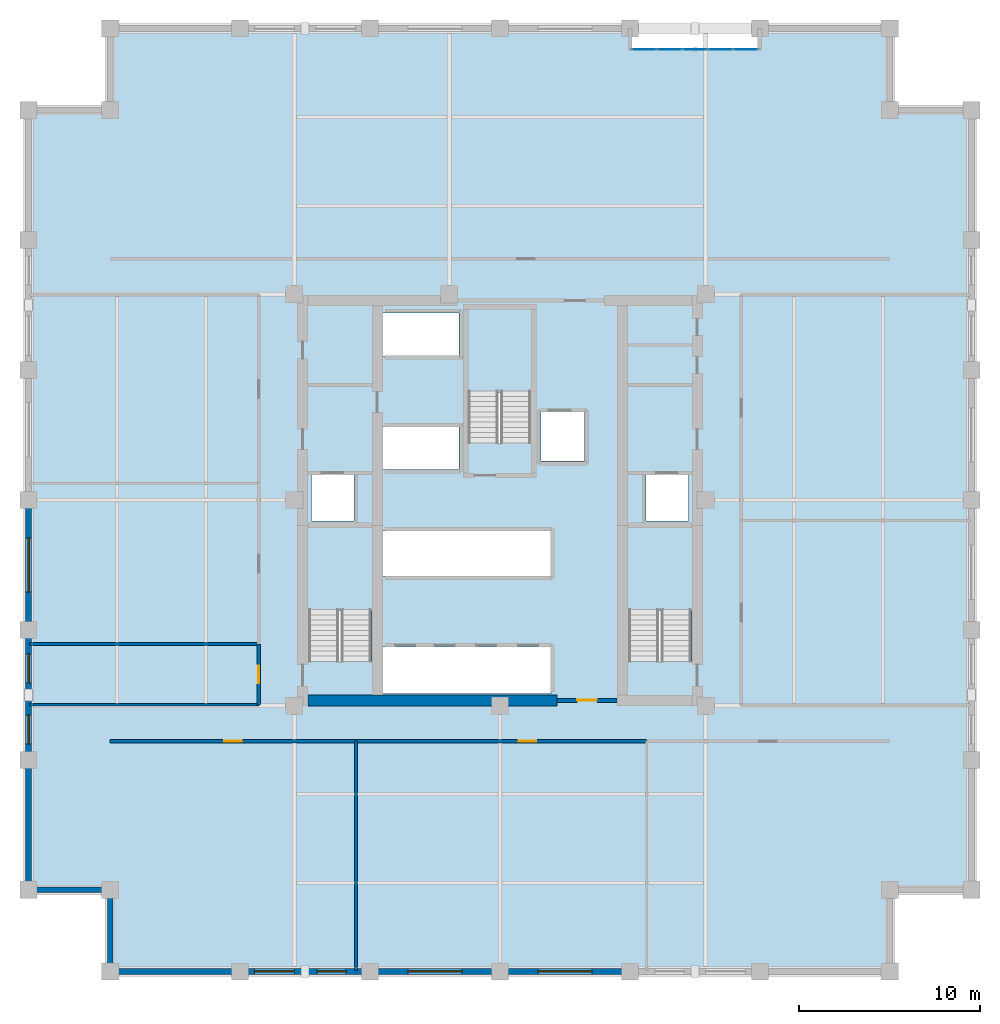
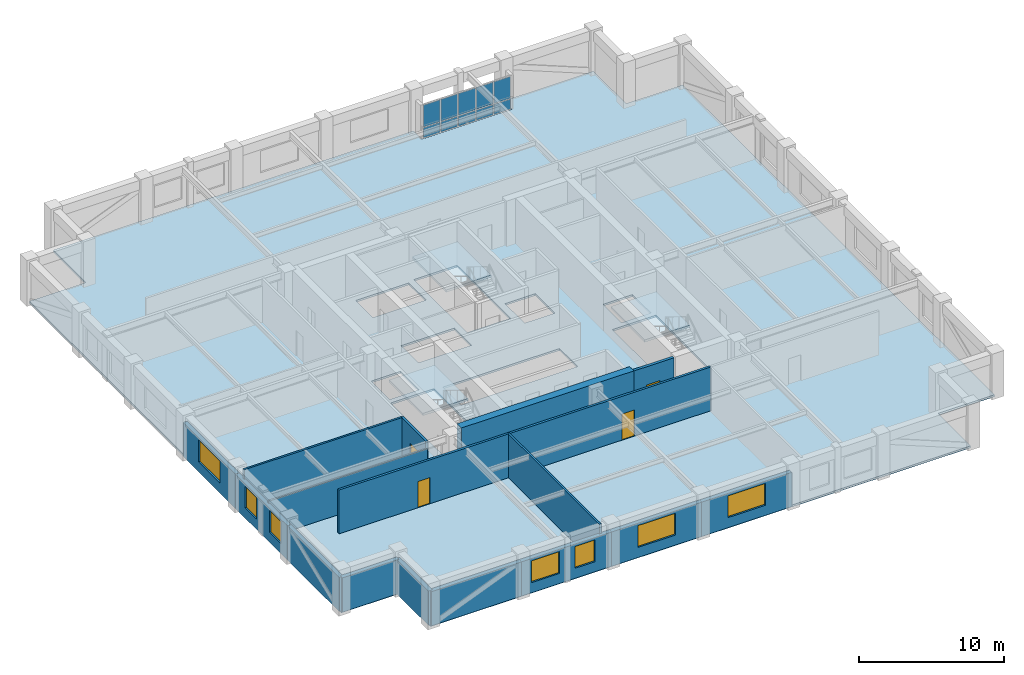
# One storey, part 3 of 8: 17 walls, 10 plates, 7 windows, 4 doors, 4 slabs, 11 openings, 4 elements without a shape of their own.
"""IFC4 building model written with IfcOpenShell, lengths in metres."""

from ifc_helpers import new_model, si_unit, direction, frame, frame_2d, origin, origin_2d, place, context, subcontext, project, spatial, polyline, rectangle, outline, extrude, material, layer, layer_set, type_object, element, fill, aggregate, save


model = new_model("IFC4")

# Units and contexts
model_context = context("Model", 3, precision=1e-05, world=origin(), true_north=direction((0.0, 1.0)))
body_context = subcontext(model_context, "Body", "Model", "MODEL_VIEW")
ifc_project = project(units=[si_unit("LENGTHUNIT", "METRE"), si_unit("AREAUNIT", "SQUARE_METRE"), si_unit("VOLUMEUNIT", "CUBIC_METRE"), si_unit("PLANEANGLEUNIT", "RADIAN"), si_unit("MASSUNIT", "GRAM", prefix="KILO")], contexts=[model_context])

# Site, building, storey
site_placement = place(None, origin())
site = spatial("IfcSite", under=ifc_project, at=site_placement, CompositionType="ELEMENT")
building_placement = place(site_placement, origin())
building = spatial("IfcBuilding", under=site, at=building_placement, Name="Nhamokura Convention Tower", CompositionType="ELEMENT")
storey_placement = place(building_placement, frame((0.0, 0.0, 137.550048828125)))
storey = spatial("IfcBuildingStorey", under=building, at=storey_placement, Name="L33", CompositionType="ELEMENT", Elevation=137.550048828125)

# Curtain wall, plates
ifc_material_1 = material(Name="Anodised bronze aluminium AA6063-T6", Category="aluminium")
ifc_layer_1 = layer(ifc_material_1, 0.159912109375)
ifc_layer_set_1 = layer_set([ifc_layer_1], Name="CWSystem_ScaleSlot_Zone2")
curtain_wall_type = type_object("IfcCurtainWallType", Name="CWSystem_ScaleSlot_Zone2", PredefinedType="NOTDEFINED", material=ifc_layer_set_1)
curtain_wall_placement = place(storey_placement, origin())
curtain_wall = element("IfcCurtainWall", 1, at=curtain_wall_placement, inside=storey, type_object=curtain_wall_type, Name="L33 Curtain Wall ENV-L33-SLOT-N4", PredefinedType="NOTDEFINED")
ifc_material_2 = material(Name="Solar-control bronze low-E double glass", Category="glass")
ifc_layer_2 = layer(ifc_material_2, 0.035888671875)
ifc_layer_set_2 = layer_set([ifc_layer_2], Name="CWGlazedPanel_2")
plate_type = type_object("IfcPlateType", Name="CWGlazedPanel_2", PredefinedType="CURTAIN_PANEL", material=ifc_layer_set_2)
plate_1_placement = place(storey_placement, frame((39.947509765625, 56.85009765625, 0.06494140625), z_axis=(0.0, 0.0, 1.0), x_axis=(1.0, 0.0, 0.0)))
plate_1 = element("IfcPlate", 2, at=plate_1_placement, type_object=plate_type, Name="CW-04 panel 1.1", PredefinedType="CURTAIN_PANEL", context=body_context, shape_type="SweptSolid", body=[
    extrude(rectangle(XDim=1.311767578125, YDim=0.035888671875, at=origin_2d()), origin(), (0.0, 0.0, 1.0), 0.8525390625),
])
plate_2_placement = place(storey_placement, frame((39.947509765625, 56.85009765625, 0.982421875), z_axis=(0.0, 0.0, 1.0), x_axis=(1.0, 0.0, 0.0)))
plate_2 = element("IfcPlate", 3, at=plate_2_placement, type_object=plate_type, Name="CW-04 panel 1.2", PredefinedType="CURTAIN_PANEL", context=body_context, shape_type="SweptSolid", body=[
    extrude(rectangle(XDim=1.311767578125, YDim=0.035888671875, at=origin_2d()), origin(), (0.0, 0.0, 1.0), 1.83740234375),
])
plate_3_placement = place(storey_placement, frame((41.340576171875, 56.85009765625, 0.06494140625), z_axis=(0.0, 0.0, 1.0), x_axis=(1.0, 0.0, 0.0)))
plate_3 = element("IfcPlate", 4, at=plate_3_placement, type_object=plate_type, Name="CW-04 panel 2.1", PredefinedType="CURTAIN_PANEL", context=body_context, shape_type="SweptSolid", body=[
    extrude(rectangle(XDim=1.34423828125, YDim=0.035888671875, at=origin_2d()), origin(), (0.0, 0.0, 1.0), 0.8525390625),
])
plate_4_placement = place(storey_placement, frame((41.340576171875, 56.85009765625, 0.982421875), z_axis=(0.0, 0.0, 1.0), x_axis=(1.0, 0.0, 0.0)))
plate_4 = element("IfcPlate", 5, at=plate_4_placement, type_object=plate_type, Name="CW-04 panel 2.2", PredefinedType="CURTAIN_PANEL", context=body_context, shape_type="SweptSolid", body=[
    extrude(rectangle(XDim=1.34423828125, YDim=0.035888671875, at=origin_2d()), origin(), (0.0, 0.0, 1.0), 1.83740234375),
])
plate_5_placement = place(storey_placement, frame((42.75, 56.85009765625, 0.06494140625), z_axis=(0.0, 0.0, 1.0), x_axis=(1.0, 0.0, 0.0)))
plate_5 = element("IfcPlate", 6, at=plate_5_placement, type_object=plate_type, Name="CW-04 panel 3.1", PredefinedType="CURTAIN_PANEL", context=body_context, shape_type="SweptSolid", body=[
    extrude(rectangle(XDim=1.34423828125, YDim=0.035888671875, at=origin_2d()), origin(), (0.0, 0.0, 1.0), 0.8525390625),
])
plate_6_placement = place(storey_placement, frame((42.75, 56.85009765625, 0.982421875), z_axis=(0.0, 0.0, 1.0), x_axis=(1.0, 0.0, 0.0)))
plate_6 = element("IfcPlate", 7, at=plate_6_placement, type_object=plate_type, Name="CW-04 panel 3.2", PredefinedType="CURTAIN_PANEL", context=body_context, shape_type="SweptSolid", body=[
    extrude(rectangle(XDim=1.34423828125, YDim=0.035888671875, at=origin_2d()), origin(), (0.0, 0.0, 1.0), 1.83740234375),
])
plate_7_placement = place(storey_placement, frame((44.159423828125, 56.85009765625, 0.06494140625), z_axis=(0.0, 0.0, 1.0), x_axis=(1.0, 0.0, 0.0)))
plate_7 = element("IfcPlate", 8, at=plate_7_placement, type_object=plate_type, Name="CW-04 panel 4.1", PredefinedType="CURTAIN_PANEL", context=body_context, shape_type="SweptSolid", body=[
    extrude(rectangle(XDim=1.34423828125, YDim=0.035888671875, at=origin_2d()), origin(), (0.0, 0.0, 1.0), 0.8525390625),
])
plate_8_placement = place(storey_placement, frame((44.159423828125, 56.85009765625, 0.982421875), z_axis=(0.0, 0.0, 1.0), x_axis=(1.0, 0.0, 0.0)))
plate_8 = element("IfcPlate", 9, at=plate_8_placement, type_object=plate_type, Name="CW-04 panel 4.2", PredefinedType="CURTAIN_PANEL", context=body_context, shape_type="SweptSolid", body=[
    extrude(rectangle(XDim=1.34423828125, YDim=0.035888671875, at=origin_2d()), origin(), (0.0, 0.0, 1.0), 1.83740234375),
])
plate_9_placement = place(storey_placement, frame((45.552490234375, 56.85009765625, 0.06494140625), z_axis=(0.0, 0.0, 1.0), x_axis=(1.0, 0.0, 0.0)))
plate_9 = element("IfcPlate", 10, at=plate_9_placement, type_object=plate_type, Name="CW-04 panel 5.1", PredefinedType="CURTAIN_PANEL", context=body_context, shape_type="SweptSolid", body=[
    extrude(rectangle(XDim=1.311767578125, YDim=0.035888671875, at=origin_2d()), origin(), (0.0, 0.0, 1.0), 0.8525390625),
])
plate_10_placement = place(storey_placement, frame((45.552490234375, 56.85009765625, 0.982421875), z_axis=(0.0, 0.0, 1.0), x_axis=(1.0, 0.0, 0.0)))
plate_10 = element("IfcPlate", 11, at=plate_10_placement, type_object=plate_type, Name="CW-04 panel 5.2", PredefinedType="CURTAIN_PANEL", context=body_context, shape_type="SweptSolid", body=[
    extrude(rectangle(XDim=1.311767578125, YDim=0.035888671875, at=origin_2d()), origin(), (0.0, 0.0, 1.0), 1.83740234375),
])
aggregate(curtain_wall, [plate_1, plate_2, plate_3, plate_4, plate_5, plate_6, plate_7, plate_8, plate_9, plate_10])

# Slab
ifc_material_3 = material(Name="Concrete C40/50", Category="concrete")
ifc_layer_3 = layer(ifc_material_3, 0.1650390625)
ifc_layer_set_3 = layer_set([ifc_layer_3], Name="OfficeFloorSlab_165")
slab_type_1 = type_object("IfcSlabType", Name="OfficeFloorSlab_165", PredefinedType="FLOOR", material=ifc_layer_set_3)
slab_1_placement = place(storey_placement, frame((0.0, 0.0, -0.1650390625)))
element("IfcSlab", 12, at=slab_1_placement, inside=storey, type_object=slab_type_1, Name="L33 Structural Floor Slab", PredefinedType="FLOOR", context=body_context, shape_type="SweptSolid", body=[
    extrude(outline(polyline([(10.5, 6.0), (53.5, 6.0), (53.5, 10.5), (58.0, 10.5), (58.0, 53.5), (53.5, 53.5), (53.5, 58.0), (46.333251953125, 58.0), (46.333251953125, 56.85009765625), (39.166748046875, 56.85009765625), (39.166748046875, 58.0), (10.5, 58.0), (10.5, 53.5), (6.0, 53.5), (6.0, 10.5), (10.5, 10.5), (10.5, 6.0)]), holes=[polyline([(24.89990234375, 23.10009765625), (24.89990234375, 30.449951171875), (21.449951171875, 30.449951171875), (21.449951171875, 23.10009765625), (24.89990234375, 23.10009765625)]), polyline([(42.550048828125, 23.10009765625), (42.550048828125, 30.449951171875), (39.10009765625, 30.449951171875), (39.10009765625, 23.10009765625), (42.550048828125, 23.10009765625)]), polyline([(33.699951171875, 35.14990234375), (33.699951171875, 42.5), (30.25, 42.5), (30.25, 35.14990234375), (33.699951171875, 35.14990234375)]), polyline([(21.60009765625, 30.85009765625), (23.949951171875, 30.85009765625), (23.949951171875, 33.39990234375), (21.60009765625, 33.39990234375), (21.60009765625, 30.85009765625)]), polyline([(40.050048828125, 30.85009765625), (42.39990234375, 30.85009765625), (42.39990234375, 33.39990234375), (40.050048828125, 33.39990234375), (40.050048828125, 30.85009765625)]), polyline([(34.25, 34.14990234375), (36.64990234375, 34.14990234375), (36.64990234375, 36.85009765625), (34.25, 36.85009765625), (34.25, 34.14990234375)]), polyline([(25.52001953125, 21.320068359375), (34.800048828125, 21.320068359375), (34.800048828125, 23.89990234375), (25.52001953125, 23.89990234375), (25.52001953125, 21.320068359375)]), polyline([(25.52001953125, 27.800048828125), (34.800048828125, 27.800048828125), (34.800048828125, 30.300048828125), (25.52001953125, 30.300048828125), (25.52001953125, 27.800048828125)]), polyline([(25.52001953125, 33.679931640625), (29.75, 33.679931640625), (29.75, 36.050048828125), (25.52001953125, 36.050048828125), (25.52001953125, 33.679931640625)]), polyline([(25.52001953125, 39.949951171875), (29.75, 39.949951171875), (29.75, 42.320068359375), (25.52001953125, 42.320068359375), (25.52001953125, 39.949951171875)])]), origin(), (0.0, 0.0, 1.0), 0.1650390625),
])

# Stair, slab
ifc_material_4 = material(Name="Concrete C40/50", Category="concrete")
stair_type = type_object("IfcStairType", Name="TowerCoreStair_1650", PredefinedType="HALF_TURN_STAIR", material=ifc_material_4)
stair_1_placement = place(storey_placement, origin())
stair_1 = element("IfcStair", 13, at=stair_1_placement, inside=storey, type_object=stair_type, Name="L33 West Core Smokeproof Stair ST-01", PredefinedType="HALF_TURN_STAIR")
ifc_material_5 = material(Name="Concrete C40/50", Category="concrete")
ifc_layer_4 = layer(ifc_material_5, 0.199951171875)
ifc_layer_set_4 = layer_set([ifc_layer_4], Name="StairLandingSlab_200")
slab_type_2 = type_object("IfcSlabType", Name="StairLandingSlab_200", PredefinedType="LANDING", material=ifc_layer_set_4)
slab_2_placement = place(storey_placement, frame((0.0, 0.0, 1.724853515625)))
slab_2 = element("IfcSlab", 14, at=slab_2_placement, type_object=slab_type_2, Name="ST-01 landing 1", PredefinedType="LANDING", context=body_context, shape_type="SweptSolid", body=[
    extrude(outline(polyline([(24.97998046875, 25.8701171875), (24.97998046875, 30.530029296875), (21.3701171875, 30.530029296875), (21.3701171875, 25.8701171875), (24.97998046875, 25.8701171875)])), origin(), (0.0, 0.0, 1.0), 0.2001953125),
])
aggregate(stair_1, [slab_2])

stair_2_placement = place(storey_placement, origin())
stair_2 = element("IfcStair", 15, at=stair_2_placement, inside=storey, type_object=stair_type, Name="L33 East Core Smokeproof Stair ST-02", PredefinedType="HALF_TURN_STAIR")
slab_3_placement = place(storey_placement, frame((0.0, 0.0, 1.724853515625)))
slab_3 = element("IfcSlab", 16, at=slab_3_placement, type_object=slab_type_2, Name="ST-02 landing 1", PredefinedType="LANDING", context=body_context, shape_type="SweptSolid", body=[
    extrude(outline(polyline([(42.6298828125, 25.8701171875), (42.6298828125, 30.530029296875), (39.02001953125, 30.530029296875), (39.02001953125, 25.8701171875), (42.6298828125, 25.8701171875)])), origin(), (0.0, 0.0, 1.0), 0.2001953125),
])
aggregate(stair_2, [slab_3])

stair_3_placement = place(storey_placement, origin())
stair_3 = element("IfcStair", 17, at=stair_3_placement, inside=storey, type_object=stair_type, Name="L33 North Core Smokeproof Stair ST-03", PredefinedType="HALF_TURN_STAIR")
slab_4_placement = place(storey_placement, frame((0.0, 0.0, 1.724853515625)))
slab_4 = element("IfcSlab", 18, at=slab_4_placement, type_object=slab_type_2, Name="ST-03 landing 1", PredefinedType="LANDING", context=body_context, shape_type="SweptSolid", body=[
    extrude(outline(polyline([(33.780029296875, 37.919921875), (33.780029296875, 42.580078125), (30.169921875, 42.580078125), (30.169921875, 37.919921875), (33.780029296875, 37.919921875)])), origin(), (0.0, 0.0, 1.0), 0.2001953125),
])
aggregate(stair_3, [slab_4])

# Wall
ifc_material_6 = material(Name="Bronze-pigmented precast concrete C45/55", Category="concrete")
ifc_layer_5 = layer(ifc_material_6, 0.320068359375)
ifc_layer_set_5 = layer_set([ifc_layer_5], Name="BronzePrecastSpandrel_320")
wall_type_1 = type_object("IfcWallType", Name="BronzePrecastSpandrel_320", PredefinedType="USERDEFINED", material=ifc_layer_set_5)
wall_1_placement = place(storey_placement, frame((17.666748046875, 6.0, 0.0), z_axis=(0.0, 0.0, 1.0), x_axis=(-1.0, 0.0, 0.0)))
element("IfcWall", 19, at=wall_1_placement, inside=storey, type_object=wall_type_1, Name="L33 Braced-Bay Precast Wall SOUTH 0", ObjectType="SPANDREL_WALL", PredefinedType="USERDEFINED", context=body_context, shape_type="SweptSolid", body=[
    extrude(rectangle(XDim=7.166748046875, YDim=0.320068359375, at=frame_2d((3.58349609375, 0.0))), origin(), (0.0, 0.0, 1.0), 2.885009765625),
])

# Wall, openings, windows
wall_2_placement = place(storey_placement, frame((24.833251953125, 6.0, 0.0), z_axis=(0.0, 0.0, 1.0), x_axis=(-1.0, 0.0, 0.0)))
wall_2 = element("IfcWall", 20, at=wall_2_placement, inside=storey, type_object=wall_type_1, Name="L33 Masonry-Frame Wall SOUTH 1", ObjectType="SPANDREL_WALL", PredefinedType="USERDEFINED", context=body_context, shape_type="SweptSolid", body=[
    extrude(rectangle(XDim=7.16650390625, YDim=0.320068359375, at=frame_2d((3.583251953125, 0.0))), origin(), (0.0, 0.0, 1.0), 2.885009765625),
])
opening_1_placement = place(wall_2_placement, frame((1.316650390625, 0.0, 0.85009765625)))
opening_1 = element("IfcOpeningElement", 21, at=opening_1_placement, cuts=wall_2, Name="Opening W-11", PredefinedType="OPENING", context=body_context, shape_type="SweptSolid", body=[
    extrude(rectangle(XDim=1.60009765625, YDim=1.8349609375, at=frame_2d((0.800048828125, 0.91748046875))), frame((0.0, 0.169921875, 0.0), z_axis=(0.0, -1.0, 0.0), x_axis=(1.0, 0.0, 0.0)), (0.0, 0.0, 1.0), 0.340087890625),
])
opening_2_placement = place(wall_2_placement, frame((4.175048828125, 0.0, 0.85009765625)))
opening_2 = element("IfcOpeningElement", 22, at=opening_2_placement, cuts=wall_2, Name="Opening W-06", PredefinedType="OPENING", context=body_context, shape_type="SweptSolid", body=[
    extrude(rectangle(XDim=2.199951171875, YDim=1.8349609375, at=frame_2d((1.10009765625, 0.91748046875))), frame((0.0, 0.169921875, 0.0), z_axis=(0.0, -1.0, 0.0), x_axis=(1.0, 0.0, 0.0)), (0.0, 0.0, 1.0), 0.340087890625),
])
ifc_material_7 = material(Name="Solar-control bronze low-E double glass", Category="glass")
window_type_1 = type_object("IfcWindowType", Name="NotchCornerWindow_1600", PartitioningType="SINGLE_PANEL", PredefinedType="WINDOW", material=ifc_material_7)
window_1_placement = place(opening_1_placement, origin())
window_1 = element("IfcWindow", 23, at=window_1_placement, inside=storey, type_object=window_type_1, Name="L33 Facade Window SOUTH 1-1", OverallHeight=1.8349609375, OverallWidth=1.60009765625, PartitioningType="SINGLE_PANEL", PredefinedType="WINDOW", context=body_context, shape_type="SweptSolid", body=[
    extrude(rectangle(XDim=1.60009765625, YDim=1.8349609375, at=frame_2d((0.800048828125, 0.91748046875))), frame((0.0, 0.030029296875, 0.0), z_axis=(0.0, -1.0, 0.0), x_axis=(1.0, 0.0, 0.0)), (0.0, 0.0, 1.0), 0.06005859375),
])
fill(opening_1, window_1)
ifc_material_8 = material(Name="Solar-control bronze low-E double glass", Category="glass")
window_type_2 = type_object("IfcWindowType", Name="OfficeModuleWindow_Z2_2200", PartitioningType="SINGLE_PANEL", PredefinedType="WINDOW", material=ifc_material_8)
window_2_placement = place(opening_2_placement, origin())
window_2 = element("IfcWindow", 24, at=window_2_placement, inside=storey, type_object=window_type_2, Name="L33 Facade Window SOUTH 1-2", OverallHeight=1.8349609375, OverallWidth=2.199951171875, PartitioningType="SINGLE_PANEL", PredefinedType="WINDOW", context=body_context, shape_type="SweptSolid", body=[
    extrude(rectangle(XDim=2.199951171875, YDim=1.8349609375, at=frame_2d((1.10009765625, 0.91748046875))), frame((0.0, 0.030029296875, 0.0), z_axis=(0.0, -1.0, 0.0), x_axis=(1.0, 0.0, 0.0)), (0.0, 0.0, 1.0), 0.06005859375),
])
fill(opening_2, window_2)

# Wall, opening, window
wall_3_placement = place(storey_placement, frame((32.0, 6.0, 0.0), z_axis=(0.0, 0.0, 1.0), x_axis=(-1.0, 0.0, 0.0)))
wall_3 = element("IfcWall", 25, at=wall_3_placement, inside=storey, type_object=wall_type_1, Name="L33 Masonry-Frame Wall SOUTH 2", ObjectType="SPANDREL_WALL", PredefinedType="USERDEFINED", context=body_context, shape_type="SweptSolid", body=[
    extrude(rectangle(XDim=7.166748046875, YDim=0.320068359375, at=frame_2d((3.58349609375, 0.0))), origin(), (0.0, 0.0, 1.0), 2.885009765625),
])
opening_3_placement = place(wall_3_placement, frame((2.083251953125, 0.0, 0.85009765625)))
opening_3 = element("IfcOpeningElement", 26, at=opening_3_placement, cuts=wall_3, Name="Opening W-05", PredefinedType="OPENING", context=body_context, shape_type="SweptSolid", body=[
    extrude(rectangle(XDim=3.0, YDim=1.8349609375, at=frame_2d((1.5, 0.91748046875))), frame((0.0, 0.169921875, 0.0), z_axis=(0.0, -1.0, 0.0), x_axis=(1.0, 0.0, 0.0)), (0.0, 0.0, 1.0), 0.340087890625),
])
ifc_material_9 = material(Name="Solar-control bronze low-E double glass", Category="glass")
window_type_3 = type_object("IfcWindowType", Name="OfficeModuleWindow_Z2_3000", PartitioningType="DOUBLE_PANEL_VERTICAL", PredefinedType="WINDOW", material=ifc_material_9)
window_3_placement = place(opening_3_placement, origin())
window_3 = element("IfcWindow", 27, at=window_3_placement, inside=storey, type_object=window_type_3, Name="L33 Facade Window SOUTH 2", OverallHeight=1.8349609375, OverallWidth=3.0, PartitioningType="SINGLE_PANEL", PredefinedType="WINDOW", context=body_context, shape_type="SweptSolid", body=[
    extrude(rectangle(XDim=3.0, YDim=1.8349609375, at=frame_2d((1.5, 0.91748046875))), frame((0.0, 0.030029296875, 0.0), z_axis=(0.0, -1.0, 0.0), x_axis=(1.0, 0.0, 0.0)), (0.0, 0.0, 1.0), 0.06005859375),
])
fill(opening_3, window_3)

wall_4_placement = place(storey_placement, frame((39.166748046875, 6.0, 0.0), z_axis=(0.0, 0.0, 1.0), x_axis=(-1.0, 0.0, 0.0)))
wall_4 = element("IfcWall", 28, at=wall_4_placement, inside=storey, type_object=wall_type_1, Name="L33 Masonry-Frame Wall SOUTH 3", ObjectType="SPANDREL_WALL", PredefinedType="USERDEFINED", context=body_context, shape_type="SweptSolid", body=[
    extrude(rectangle(XDim=7.166748046875, YDim=0.320068359375, at=frame_2d((3.58349609375, 0.0))), origin(), (0.0, 0.0, 1.0), 2.885009765625),
])
opening_4_placement = place(wall_4_placement, frame((2.083251953125, 0.0, 0.85009765625)))
opening_4 = element("IfcOpeningElement", 29, at=opening_4_placement, cuts=wall_4, Name="Opening W-05", PredefinedType="OPENING", context=body_context, shape_type="SweptSolid", body=[
    extrude(rectangle(XDim=3.0, YDim=1.8349609375, at=frame_2d((1.5, 0.91748046875))), frame((0.0, 0.169921875, 0.0), z_axis=(0.0, -1.0, 0.0), x_axis=(1.0, 0.0, 0.0)), (0.0, 0.0, 1.0), 0.340087890625),
])
window_4_placement = place(opening_4_placement, origin())
window_4 = element("IfcWindow", 30, at=window_4_placement, inside=storey, type_object=window_type_3, Name="L33 Facade Window SOUTH 3", OverallHeight=1.8349609375, OverallWidth=3.0, PartitioningType="SINGLE_PANEL", PredefinedType="WINDOW", context=body_context, shape_type="SweptSolid", body=[
    extrude(rectangle(XDim=3.0, YDim=1.8349609375, at=frame_2d((1.5, 0.91748046875))), frame((0.0, 0.030029296875, 0.0), z_axis=(0.0, -1.0, 0.0), x_axis=(1.0, 0.0, 0.0)), (0.0, 0.0, 1.0), 0.06005859375),
])
fill(opening_4, window_4)

# Wall
wall_5_placement = place(storey_placement, frame((6.0, 10.5, 0.0), z_axis=(0.0, 0.0, 1.0), x_axis=(0.0, 1.0, 0.0)))
element("IfcWall", 31, at=wall_5_placement, inside=storey, type_object=wall_type_1, Name="L33 Braced-Bay Precast Wall WEST 0", ObjectType="SPANDREL_WALL", PredefinedType="USERDEFINED", context=body_context, shape_type="SweptSolid", body=[
    extrude(rectangle(XDim=7.166748046875, YDim=0.320068359375, at=frame_2d((3.58349609375, 0.0))), origin(), (0.0, 0.0, 1.0), 2.885009765625),
])

# Wall, openings, windows
wall_6_placement = place(storey_placement, frame((6.0, 17.666748046875, 0.0), z_axis=(0.0, 0.0, 1.0), x_axis=(0.0, 1.0, 0.0)))
wall_6 = element("IfcWall", 32, at=wall_6_placement, inside=storey, type_object=wall_type_1, Name="L33 Masonry-Frame Wall WEST 1", ObjectType="SPANDREL_WALL", PredefinedType="USERDEFINED", context=body_context, shape_type="SweptSolid", body=[
    extrude(rectangle(XDim=7.16650390625, YDim=0.320068359375, at=frame_2d((3.583251953125, 0.0))), origin(), (0.0, 0.0, 1.0), 2.885009765625),
])
opening_5_placement = place(wall_6_placement, frame((0.879150390625, 0.0, 0.85009765625)))
opening_5 = element("IfcOpeningElement", 33, at=opening_5_placement, cuts=wall_6, Name="Opening W-11", PredefinedType="OPENING", context=body_context, shape_type="SweptSolid", body=[
    extrude(rectangle(XDim=1.60009765625, YDim=1.8349609375, at=frame_2d((0.800048828125, 0.91748046875))), frame((0.0, 0.169921875, 0.0), z_axis=(0.0, -1.0, 0.0), x_axis=(1.0, 0.0, 0.0)), (0.0, 0.0, 1.0), 0.340087890625),
])
opening_6_placement = place(wall_6_placement, frame((4.25, 0.0, 0.85009765625)))
opening_6 = element("IfcOpeningElement", 34, at=opening_6_placement, cuts=wall_6, Name="Opening W-11", PredefinedType="OPENING", context=body_context, shape_type="SweptSolid", body=[
    extrude(rectangle(XDim=1.60009765625, YDim=1.8349609375, at=frame_2d((0.800048828125, 0.91748046875))), frame((0.0, 0.169921875, 0.0), z_axis=(0.0, -1.0, 0.0), x_axis=(1.0, 0.0, 0.0)), (0.0, 0.0, 1.0), 0.340087890625),
])
window_5_placement = place(opening_5_placement, origin())
window_5 = element("IfcWindow", 35, at=window_5_placement, inside=storey, type_object=window_type_1, Name="L33 Facade Window WEST 1-1", OverallHeight=1.8349609375, OverallWidth=1.60009765625, PartitioningType="SINGLE_PANEL", PredefinedType="WINDOW", context=body_context, shape_type="SweptSolid", body=[
    extrude(rectangle(XDim=1.60009765625, YDim=1.8349609375, at=frame_2d((0.800048828125, 0.91748046875))), frame((0.0, 0.030029296875, 0.0), z_axis=(0.0, -1.0, 0.0), x_axis=(1.0, 0.0, 0.0)), (0.0, 0.0, 1.0), 0.06005859375),
])
fill(opening_5, window_5)
window_6_placement = place(opening_6_placement, origin())
window_6 = element("IfcWindow", 36, at=window_6_placement, inside=storey, type_object=window_type_1, Name="L33 Facade Window WEST 1-2", OverallHeight=1.8349609375, OverallWidth=1.60009765625, PartitioningType="SINGLE_PANEL", PredefinedType="WINDOW", context=body_context, shape_type="SweptSolid", body=[
    extrude(rectangle(XDim=1.60009765625, YDim=1.8349609375, at=frame_2d((0.800048828125, 0.91748046875))), frame((0.0, 0.030029296875, 0.0), z_axis=(0.0, -1.0, 0.0), x_axis=(1.0, 0.0, 0.0)), (0.0, 0.0, 1.0), 0.06005859375),
])
fill(opening_6, window_6)

# Wall, opening, window
wall_7_placement = place(storey_placement, frame((6.0, 24.833251953125, 0.0), z_axis=(0.0, 0.0, 1.0), x_axis=(0.0, 1.0, 0.0)))
wall_7 = element("IfcWall", 37, at=wall_7_placement, inside=storey, type_object=wall_type_1, Name="L33 Masonry-Frame Wall WEST 2", ObjectType="SPANDREL_WALL", PredefinedType="USERDEFINED", context=body_context, shape_type="SweptSolid", body=[
    extrude(rectangle(XDim=7.166748046875, YDim=0.320068359375, at=frame_2d((3.58349609375, 0.0))), origin(), (0.0, 0.0, 1.0), 2.885009765625),
])
opening_7_placement = place(wall_7_placement, frame((2.083251953125, 0.0, 0.85009765625)))
opening_7 = element("IfcOpeningElement", 38, at=opening_7_placement, cuts=wall_7, Name="Opening W-05", PredefinedType="OPENING", context=body_context, shape_type="SweptSolid", body=[
    extrude(rectangle(XDim=3.0, YDim=1.8349609375, at=frame_2d((1.5, 0.91748046875))), frame((0.0, 0.169921875, 0.0), z_axis=(0.0, -1.0, 0.0), x_axis=(1.0, 0.0, 0.0)), (0.0, 0.0, 1.0), 0.340087890625),
])
window_7_placement = place(opening_7_placement, origin())
window_7 = element("IfcWindow", 39, at=window_7_placement, inside=storey, type_object=window_type_3, Name="L33 Facade Window WEST 2", OverallHeight=1.8349609375, OverallWidth=3.0, PartitioningType="SINGLE_PANEL", PredefinedType="WINDOW", context=body_context, shape_type="SweptSolid", body=[
    extrude(rectangle(XDim=3.0, YDim=1.8349609375, at=frame_2d((1.5, 0.91748046875))), frame((0.0, 0.030029296875, 0.0), z_axis=(0.0, -1.0, 0.0), x_axis=(1.0, 0.0, 0.0)), (0.0, 0.0, 1.0), 0.06005859375),
])
fill(opening_7, window_7)

# Walls
for number, where, z_axis, x_axis, name in (
    (40, (10.5, 6.0, 0.0), (0.0, 0.0, 1.0), (0.0, 1.0, 0.0), "L33 Notched Corner Wall SW1"),
    (41, (10.5, 10.5, 0.0), (0.0, 0.0, 1.0), (-1.0, 0.0, 0.0), "L33 Notched Corner Wall SW2"),
):
    element("IfcWall", number, at=place(storey_placement, frame(where, z_axis=z_axis, x_axis=x_axis)), inside=storey, type_object=wall_type_1, Name=name, ObjectType="SPANDREL_WALL", PredefinedType="USERDEFINED", context=body_context, shape_type="SweptSolid", body=[
        extrude(rectangle(XDim=4.5, YDim=0.320068359375, at=frame_2d((2.25, 0.0))), origin(), (0.0, 0.0, 1.0), 2.885009765625),
    ])
ifc_material_10 = material(Name="Concrete C60/75", Category="concrete")
ifc_layer_6 = layer(ifc_material_10, 0.60009765625)
ifc_layer_set_6 = layer_set([ifc_layer_6], Name="CoreShearWall_600")
wall_type_2 = type_object("IfcWallType", Name="CoreShearWall_600", PredefinedType="SHEAR", material=ifc_layer_set_6)
wall_8_placement = place(storey_placement, frame((21.409912109375, 20.949951171875, 0.0), z_axis=(0.0, 0.0, 1.0), x_axis=(1.0, 0.0, 0.0)))
element("IfcWall", 42, at=wall_8_placement, inside=storey, type_object=wall_type_2, Name="L33 Core Shear Wall CW-S1", PredefinedType="SHEAR", context=body_context, shape_type="SweptSolid", body=[
    extrude(rectangle(XDim=13.739990234375, YDim=0.60009765625, at=frame_2d((6.8701171875, 0.0))), origin(), (0.0, 0.0, 1.0), 3.849853515625),
])

# Wall, opening, door
ifc_material_11 = material(Name="Fire-rated gypsum and masonry partition", Category="masonry")
ifc_layer_7 = layer(ifc_material_11, 0.179931640625)
ifc_layer_set_7 = layer_set([ifc_layer_7], Name="CorridorRatedWall_180")
wall_type_3 = type_object("IfcWallType", Name="CorridorRatedWall_180", PredefinedType="STANDARD", material=ifc_layer_set_7)
wall_9_placement = place(storey_placement, frame((10.5, 18.699951171875, 0.0), z_axis=(0.0, 0.0, 1.0), x_axis=(1.0, 0.0, 0.0)))
wall_9 = element("IfcWall", 43, at=wall_9_placement, inside=storey, type_object=wall_type_3, Name="L33 Wall INT-L33-CW-S00", PredefinedType="STANDARD", context=body_context, shape_type="SweptSolid", body=[
    extrude(rectangle(XDim=13.558349609375, YDim=0.179931640625, at=frame_2d((6.779296875, 0.0))), origin(), (0.0, 0.0, 1.0), 3.68505859375),
])
opening_8_placement = place(wall_9_placement, frame((6.279296875, 0.0, 0.0)))
opening_8 = element("IfcOpeningElement", 44, at=opening_8_placement, cuts=wall_9, Name="Opening D-08", PredefinedType="OPENING", context=body_context, shape_type="SweptSolid", body=[
    extrude(rectangle(XDim=0.97998046875, YDim=2.199951171875, at=frame_2d((0.489990234375, 1.10009765625))), frame((0.0, 0.099853515625, 0.0), z_axis=(0.0, -1.0, 0.0), x_axis=(1.0, 0.0, 0.0)), (0.0, 0.0, 1.0), 0.199951171875),
])
ifc_material_12 = material(Name="Solid oak hardwood", Category="wood")
door_type_1 = type_object("IfcDoorType", Name="OfficeEntryDoor_980", OperationType="NOTDEFINED", PredefinedType="DOOR", material=ifc_material_12)
door_1_placement = place(opening_8_placement, origin())
door_1 = element("IfcDoor", 45, at=door_1_placement, inside=storey, type_object=door_type_1, Name="L33 Training Classroom S01 Door", OperationType="SINGLE_SWING_LEFT", OverallHeight=2.199951171875, OverallWidth=0.97998046875, PredefinedType="DOOR", context=body_context, shape_type="SweptSolid", body=[
    extrude(rectangle(XDim=0.97998046875, YDim=2.199951171875, at=frame_2d((0.489990234375, 1.10009765625))), frame((0.0, 0.02490234375, 0.0), z_axis=(0.0, -1.0, 0.0), x_axis=(1.0, 0.0, 0.0)), (0.0, 0.0, 1.0), 0.050048828125),
])
fill(opening_8, door_1)

wall_10_placement = place(storey_placement, frame((24.058349609375, 18.699951171875, 0.0), z_axis=(0.0, 0.0, 1.0), x_axis=(1.0, 0.0, 0.0)))
wall_10 = element("IfcWall", 46, at=wall_10_placement, inside=storey, type_object=wall_type_3, Name="L33 Wall INT-L33-CW-S01", PredefinedType="STANDARD", context=body_context, shape_type="SweptSolid", body=[
    extrude(rectangle(XDim=16.033447265625, YDim=0.179931640625, at=frame_2d((8.0166015625, 0.0))), origin(), (0.0, 0.0, 1.0), 3.68505859375),
])
opening_9_placement = place(wall_10_placement, frame((8.966796875, 0.0, 0.0)))
opening_9 = element("IfcOpeningElement", 47, at=opening_9_placement, cuts=wall_10, Name="Opening D-08", PredefinedType="OPENING", context=body_context, shape_type="SweptSolid", body=[
    extrude(rectangle(XDim=0.97998046875, YDim=2.199951171875, at=frame_2d((0.489990234375, 1.10009765625))), frame((0.0, 0.099853515625, 0.0), z_axis=(0.0, -1.0, 0.0), x_axis=(1.0, 0.0, 0.0)), (0.0, 0.0, 1.0), 0.199951171875),
])
door_2_placement = place(opening_9_placement, origin())
door_2 = element("IfcDoor", 48, at=door_2_placement, inside=storey, type_object=door_type_1, Name="L33 Training Classroom S02 Door", OperationType="SINGLE_SWING_RIGHT", OverallHeight=2.199951171875, OverallWidth=0.97998046875, PredefinedType="DOOR", context=body_context, shape_type="SweptSolid", body=[
    extrude(rectangle(XDim=0.97998046875, YDim=2.199951171875, at=frame_2d((0.489990234375, 1.10009765625))), frame((0.0, 0.02490234375, 0.0), z_axis=(0.0, -1.0, 0.0), x_axis=(1.0, 0.0, 0.0)), (0.0, 0.0, 1.0), 0.050048828125),
])
fill(opening_9, door_2)

wall_11_placement = place(storey_placement, frame((18.699951171875, 20.699951171875, 0.0), z_axis=(0.0, 0.0, 1.0), x_axis=(0.0, 1.0, 0.0)))
wall_11 = element("IfcWall", 49, at=wall_11_placement, inside=storey, type_object=wall_type_3, Name="L33 Wall INT-L33-CW-W00", PredefinedType="STANDARD", context=body_context, shape_type="SweptSolid", body=[
    extrude(rectangle(XDim=3.3583984375, YDim=0.179931640625, at=frame_2d((1.67919921875, 0.0))), origin(), (0.0, 0.0, 1.0), 3.68505859375),
])
opening_10_placement = place(wall_11_placement, frame((1.17919921875, 0.0, 0.0)))
opening_10 = element("IfcOpeningElement", 50, at=opening_10_placement, cuts=wall_11, Name="Opening D-08", PredefinedType="OPENING", context=body_context, shape_type="SweptSolid", body=[
    extrude(rectangle(XDim=0.97998046875, YDim=2.199951171875, at=frame_2d((0.489990234375, 1.10009765625))), frame((0.0, 0.099853515625, 0.0), z_axis=(0.0, -1.0, 0.0), x_axis=(1.0, 0.0, 0.0)), (0.0, 0.0, 1.0), 0.199951171875),
])
door_3_placement = place(opening_10_placement, origin())
door_3 = element("IfcDoor", 51, at=door_3_placement, inside=storey, type_object=door_type_1, Name="L33 Computer Laboratory W01 Door", OperationType="SINGLE_SWING_LEFT", OverallHeight=2.199951171875, OverallWidth=0.97998046875, PredefinedType="DOOR", context=body_context, shape_type="SweptSolid", body=[
    extrude(rectangle(XDim=0.97998046875, YDim=2.199951171875, at=frame_2d((0.489990234375, 1.10009765625))), frame((0.0, 0.02490234375, 0.0), z_axis=(0.0, -1.0, 0.0), x_axis=(1.0, 0.0, 0.0)), (0.0, 0.0, 1.0), 0.050048828125),
])
fill(opening_10, door_3)

ifc_material_13 = material(Name="Autoclaved concrete blockwork", Category="masonry")
ifc_layer_8 = layer(ifc_material_13, 0.219970703125)
ifc_layer_set_8 = layer_set([ifc_layer_8], Name="FireLobbyWall_220")
wall_type_4 = type_object("IfcWallType", Name="FireLobbyWall_220", PredefinedType="STANDARD", material=ifc_layer_set_8)
wall_12_placement = place(storey_placement, frame((35.14990234375, 20.949951171875, 0.0), z_axis=(0.0, 0.0, 1.0), x_axis=(1.0, 0.0, 0.0)))
wall_12 = element("IfcWall", 52, at=wall_12_placement, inside=storey, type_object=wall_type_4, Name="L33 Wall INT-L33-SPORT-S", PredefinedType="STANDARD", context=body_context, shape_type="SweptSolid", body=[
    extrude(rectangle(XDim=3.300048828125, YDim=0.219970703125, at=frame_2d((1.64990234375, 0.0))), origin(), (0.0, 0.0, 1.0), 3.68505859375),
])
opening_11_placement = place(wall_12_placement, frame((1.10009765625, 0.0, 0.0)))
opening_11 = element("IfcOpeningElement", 53, at=opening_11_placement, cuts=wall_12, Name="Opening D-05", PredefinedType="OPENING", context=body_context, shape_type="SweptSolid", body=[
    extrude(rectangle(XDim=1.10009765625, YDim=2.14990234375, at=frame_2d((0.550048828125, 1.074951171875))), frame((0.0, 0.119873046875, 0.0), z_axis=(0.0, -1.0, 0.0), x_axis=(1.0, 0.0, 0.0)), (0.0, 0.0, 1.0), 0.239990234375),
])
ifc_material_14 = material(Name="Fire-rated steel door", Category="steel")
door_type_2 = type_object("IfcDoorType", Name="FireLobbyDoor_1100", OperationType="NOTDEFINED", PredefinedType="DOOR", material=ifc_material_14)
door_4_placement = place(opening_11_placement, origin())
door_4 = element("IfcDoor", 54, at=door_4_placement, inside=storey, type_object=door_type_2, Name="L33 South Core Lobby Portal Door", OperationType="SINGLE_SWING_LEFT", OverallHeight=2.14990234375, OverallWidth=1.10009765625, PredefinedType="DOOR", context=body_context, shape_type="SweptSolid", body=[
    extrude(rectangle(XDim=1.10009765625, YDim=2.14990234375, at=frame_2d((0.550048828125, 1.074951171875))), frame((0.0, 0.02490234375, 0.0), z_axis=(0.0, -1.0, 0.0), x_axis=(1.0, 0.0, 0.0)), (0.0, 0.0, 1.0), 0.050048828125),
])
fill(opening_11, door_4)

# Walls
ifc_material_15 = material(Name="Acoustic gypsum stud partition", Category="masonry")
ifc_layer_9 = layer(ifc_material_15, 0.14990234375)
ifc_layer_set_9 = layer_set([ifc_layer_9], Name="InteriorPartition_150")
wall_type_5 = type_object("IfcWallType", Name="InteriorPartition_150", PredefinedType="STANDARD", material=ifc_layer_set_9)
wall_13_placement = place(storey_placement, frame((24.058349609375, 6.06005859375, 0.0), z_axis=(0.0, 0.0, 1.0), x_axis=(0.0, 1.0, 0.0)))
element("IfcWall", 55, at=wall_13_placement, inside=storey, type_object=wall_type_5, Name="L33 Wall INT-L33-RW-S01", PredefinedType="STANDARD", context=body_context, shape_type="SweptSolid", body=[
    extrude(rectangle(XDim=12.639892578125, YDim=0.14990234375, at=frame_2d((6.31982421875, 0.0))), origin(), (0.0, 0.0, 1.0), 3.68505859375),
])
wall_14_placement = place(storey_placement, frame((6.06005859375, 20.699951171875, 0.0), z_axis=(0.0, 0.0, 1.0), x_axis=(1.0, 0.0, 0.0)))
element("IfcWall", 56, at=wall_14_placement, inside=storey, type_object=wall_type_5, Name="L33 Wall INT-L33-RWB-W", PredefinedType="STANDARD", context=body_context, shape_type="SweptSolid", body=[
    extrude(rectangle(XDim=12.639892578125, YDim=0.14990234375, at=frame_2d((6.31982421875, 0.0))), origin(), (0.0, 0.0, 1.0), 3.06494140625),
])
wall_15_placement = place(storey_placement, frame((6.06005859375, 24.058349609375, 0.0), z_axis=(0.0, 0.0, 1.0), x_axis=(1.0, 0.0, 0.0)))
element("IfcWall", 57, at=wall_15_placement, inside=storey, type_object=wall_type_5, Name="L33 Wall INT-L33-RW-W01", PredefinedType="STANDARD", context=body_context, shape_type="SweptSolid", body=[
    extrude(rectangle(XDim=12.639892578125, YDim=0.14990234375, at=frame_2d((6.31982421875, 0.0))), origin(), (0.0, 0.0, 1.0), 3.68505859375),
])

save(model, "model.ifc")
